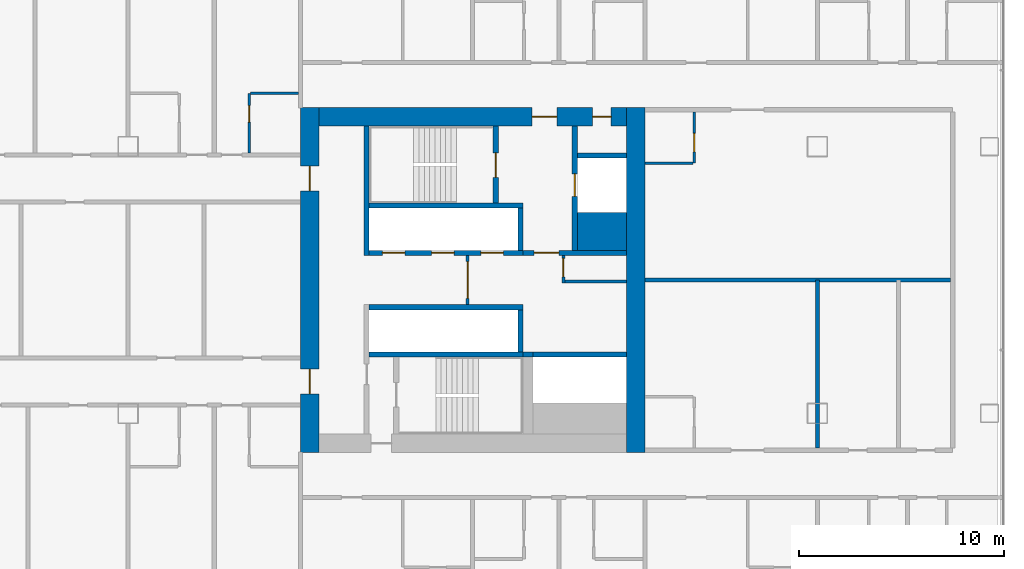
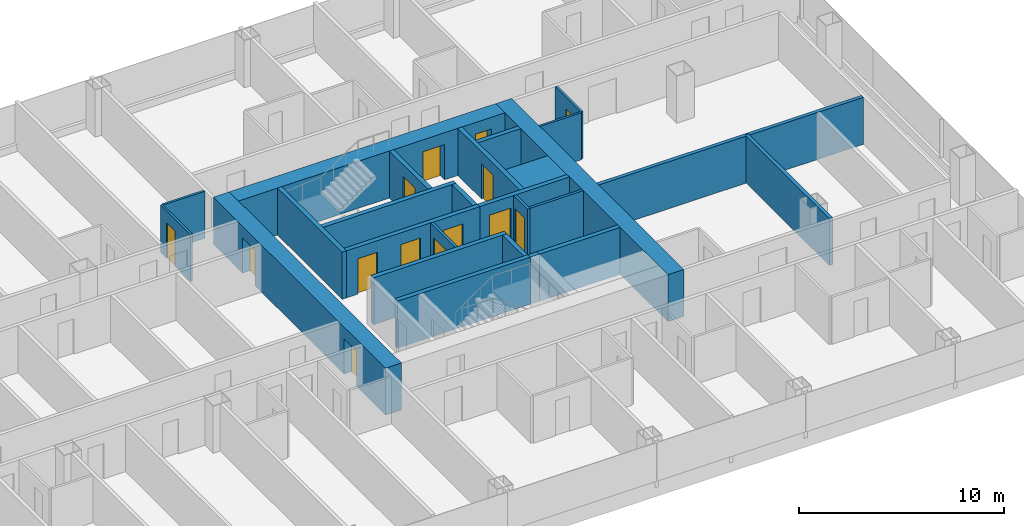
# One storey, part 18 of 28: 26 walls, 14 doors, 14 openings.
"""IFC4 building model written with IfcOpenShell, lengths in metres."""

from ifc_helpers import new_model, si_unit, direction, frame, frame_2d, origin, place, context, subcontext, project, spatial, rectangle, extrude, material, layer, layer_set, type_object, element, fill, save


model = new_model("IFC4")

# Units and contexts
model_context = context("Model", 3, precision=1e-05, world=origin(), true_north=direction((0.0, 1.0)))
body_context = subcontext(model_context, "Body", "Model", "MODEL_VIEW")
ifc_project = project(units=[si_unit("LENGTHUNIT", "METRE"), si_unit("AREAUNIT", "SQUARE_METRE"), si_unit("VOLUMEUNIT", "CUBIC_METRE"), si_unit("PLANEANGLEUNIT", "RADIAN"), si_unit("MASSUNIT", "GRAM", prefix="KILO")], contexts=[model_context])

# Site, building, storey
site_placement = place(None, origin())
site = spatial("IfcSite", under=ifc_project, at=site_placement, CompositionType="ELEMENT")
building_placement = place(site_placement, origin())
building = spatial("IfcBuilding", under=site, at=building_placement, Name="Hakoniwa Tower and Hamabe Station Hall", CompositionType="ELEMENT")
storey_placement = place(building_placement, frame((0.0, 0.0, 42.199951171875)))
storey = spatial("IfcBuildingStorey", under=building, at=storey_placement, Name="L11", CompositionType="ELEMENT", Elevation=42.199951171875)

# Wall
ifc_material_1 = material(Name="Gypsum board partition", Category="gypsum")
ifc_layer_1 = layer(ifc_material_1, 0.125)
ifc_layer_set_1 = layer_set([ifc_layer_1], Name="Bathroom Partition 125")
wall_type_1 = type_object("IfcWallType", Name="Bathroom Partition 125", PredefinedType="PARTITIONING", material=ifc_layer_set_1)
wall_1_placement = place(storey_placement, frame((14.362548828125, 9.10009765625, 0.0), z_axis=(0.0, 0.0, 1.0), x_axis=(1.0, 0.0, 0.0)))
element("IfcWall", 1, at=wall_1_placement, inside=storey, type_object=wall_type_1, Name="GW-L11-032", PredefinedType="PARTITIONING", context=body_context, shape_type="SweptSolid", body=[
    extrude(rectangle(XDim=2.33740234375, YDim=0.125, at=frame_2d((1.168701171875, 0.0))), origin(), (0.0, 0.0, 1.0), 2.800048828125),
])

# Wall, opening, door
wall_2_placement = place(storey_placement, frame((14.300048828125, 6.199951171875, 0.0), z_axis=(0.0, 0.0, 1.0), x_axis=(0.0, 1.0, 0.0)))
wall_2 = element("IfcWall", 2, at=wall_2_placement, inside=storey, type_object=wall_type_1, Name="GW-L11-102", PredefinedType="PARTITIONING", context=body_context, shape_type="SweptSolid", body=[
    extrude(rectangle(XDim=2.900146484375, YDim=0.125, at=frame_2d((1.4501953125, 0.0))), origin(), (0.0, 0.0, 1.0), 2.800048828125),
])
opening_1_placement = place(wall_2_placement, frame((1.5, 0.0, 0.0)))
opening_1 = element("IfcOpeningElement", 3, at=opening_1_placement, cuts=wall_2, Name="Opening GD-G1C1-81", PredefinedType="OPENING", context=body_context, shape_type="SweptSolid", body=[
    extrude(rectangle(XDim=0.800048828125, YDim=2.10009765625, at=frame_2d((0.39990234375, 1.050048828125))), frame((0.0, 0.072509765625, 0.0), z_axis=(0.0, -1.0, 0.0), x_axis=(1.0, 0.0, 0.0)), (0.0, 0.0, 1.0), 0.14501953125),
])
ifc_material_2 = material(Name="Timber door leaf", Category="wood")
door_type_1 = type_object("IfcDoorType", Name="Bathroom Door 800", OperationType="SINGLE_SWING_LEFT", PredefinedType="DOOR", material=ifc_material_2)
door_1_placement = place(opening_1_placement, origin())
door_1 = element("IfcDoor", 4, at=door_1_placement, inside=storey, type_object=door_type_1, Name="Door GD-G1C1-81", OperationType="SINGLE_SWING_RIGHT", OverallHeight=2.10009765625, OverallWidth=0.800048828125, PredefinedType="DOOR", context=body_context, shape_type="SweptSolid", body=[
    extrude(rectangle(XDim=0.800048828125, YDim=2.10009765625, at=frame_2d((0.39990234375, 1.050048828125))), frame((0.0, 0.02490234375, 0.0), z_axis=(0.0, -1.0, 0.0), x_axis=(1.0, 0.0, 0.0)), (0.0, 0.0, 1.0), 0.050048828125),
])
fill(opening_1, door_1)

ifc_material_3 = material(Name="Gypsum board partition")
ifc_layer_2 = layer(ifc_material_3, 0.14990234375)
ifc_layer_set_2 = layer_set([ifc_layer_2], Name="CORE PARTITION 150 EI 60")
wall_type_2 = type_object("IfcWallType", Name="CORE PARTITION 150 EI 60", PredefinedType="PARTITIONING", material=ifc_layer_set_2)
wall_3_placement = place(storey_placement, frame((24.949951171875, -1.199951171875, 0.0), z_axis=(0.0, 0.0, 1.0), x_axis=(0.0, 1.0, 0.0)))
wall_3 = element("IfcWall", 5, at=wall_3_placement, inside=storey, type_object=wall_type_2, Name="Core partition PL0 east", PredefinedType="PARTITIONING", context=body_context, shape_type="SweptSolid", body=[
    extrude(rectangle(XDim=2.39990234375, YDim=0.14990234375, at=frame_2d((1.199951171875, 0.0))), origin(), (0.0, 0.0, 1.0), 2.800048828125),
])
opening_2_placement = place(wall_3_placement, frame((0.300048828125, 0.0, 0.0)))
opening_2 = element("IfcOpeningElement", 6, at=opening_2_placement, cuts=wall_3, Name="Opening CD-E-LP0-18", PredefinedType="OPENING", context=body_context, shape_type="SweptSolid", body=[
    extrude(rectangle(XDim=1.800048828125, YDim=2.10009765625, at=frame_2d((0.89990234375, 1.050048828125))), frame((0.0, 0.0849609375, 0.0), z_axis=(0.0, -1.0, 0.0), x_axis=(1.0, 0.0, 0.0)), (0.0, 0.0, 1.0), 0.169921875),
])
ifc_material_4 = material(Name="Steel fire door", Category="steel")
door_type_2 = type_object("IfcDoorType", Name="CORE DOOR 1800 FD60", OperationType="DOUBLE_DOOR_SINGLE_SWING", PredefinedType="DOOR", material=ifc_material_4)
door_2_placement = place(opening_2_placement, origin())
door_2 = element("IfcDoor", 7, at=door_2_placement, inside=storey, type_object=door_type_2, Name="Lift lobby partition door", OperationType="DOUBLE_DOOR_SINGLE_SWING", OverallHeight=2.10009765625, OverallWidth=1.800048828125, PredefinedType="DOOR", context=body_context, shape_type="SweptSolid", body=[
    extrude(rectangle(XDim=1.800048828125, YDim=2.10009765625, at=frame_2d((0.89990234375, 1.050048828125))), frame((0.0, 0.02490234375, 0.0), z_axis=(0.0, -1.0, 0.0), x_axis=(1.0, 0.0, 0.0)), (0.0, 0.0, 1.0), 0.050048828125),
])
fill(opening_2, door_2)

wall_4_placement = place(storey_placement, frame((29.625, -0.14990234375, 0.0), z_axis=(0.0, 0.0, 1.0), x_axis=(0.0, 1.0, 0.0)))
wall_4 = element("IfcWall", 8, at=wall_4_placement, inside=storey, type_object=wall_type_2, Name="Core partition PW0 east", PredefinedType="PARTITIONING", context=body_context, shape_type="SweptSolid", body=[
    extrude(rectangle(XDim=1.349853515625, YDim=0.14990234375, at=frame_2d((0.6748046875, 0.0))), origin(), (0.0, 0.0, 1.0), 2.800048828125),
])
opening_3_placement = place(wall_4_placement, frame((0.300048828125, 0.0, 0.0)))
opening_3 = element("IfcOpeningElement", 9, at=opening_3_placement, cuts=wall_4, Name="Opening CD-E-RM1-9", PredefinedType="OPENING", context=body_context, shape_type="SweptSolid", body=[
    extrude(rectangle(XDim=0.89990234375, YDim=2.10009765625, at=frame_2d((0.449951171875, 1.050048828125))), frame((0.0, 0.0849609375, 0.0), z_axis=(0.0, -1.0, 0.0), x_axis=(1.0, 0.0, 0.0)), (0.0, 0.0, 1.0), 0.169921875),
])
ifc_material_5 = material(Name="Steel fire door", Category="steel")
door_type_3 = type_object("IfcDoorType", Name="CORE DOOR 900 FD30", OperationType="NOTDEFINED", PredefinedType="DOOR", material=ifc_material_5)
door_3_placement = place(opening_3_placement, origin())
door_3 = element("IfcDoor", 10, at=door_3_placement, inside=storey, type_object=door_type_3, Name="Store room door", OperationType="SINGLE_SWING_RIGHT", OverallHeight=2.10009765625, OverallWidth=0.89990234375, PredefinedType="DOOR", context=body_context, shape_type="SweptSolid", body=[
    extrude(rectangle(XDim=0.89990234375, YDim=2.10009765625, at=frame_2d((0.449951171875, 1.050048828125))), frame((0.0, 0.02490234375, 0.0), z_axis=(0.0, -1.0, 0.0), x_axis=(1.0, 0.0, 0.0)), (0.0, 0.0, 1.0), 0.050048828125),
])
fill(opening_3, door_3)

# Wall
wall_5_placement = place(storey_placement, frame((29.699951171875, -0.074951171875, 0.0), z_axis=(0.0, 0.0, 1.0), x_axis=(1.0, 0.0, 0.0)))
element("IfcWall", 11, at=wall_5_placement, inside=storey, type_object=wall_type_2, Name="Core partition PS east", PredefinedType="PARTITIONING", context=body_context, shape_type="SweptSolid", body=[
    extrude(rectangle(XDim=3.0, YDim=0.14990234375, at=frame_2d((1.5, 0.0))), origin(), (0.0, 0.0, 1.0), 2.800048828125),
])

# Wall, openings, doors
ifc_material_6 = material(Name="Concrete C80", Category="concrete")
ifc_layer_3 = layer(ifc_material_6, 0.89990234375)
ifc_layer_set_3 = layer_set([ifc_layer_3], Name="CORE WALL 900 C80")
wall_type_3 = type_object("IfcWallType", Name="CORE WALL 900 C80", PredefinedType="SHEAR", material=ifc_layer_set_3)
wall_6_placement = place(storey_placement, frame((17.25, -8.39990234375, 0.0), z_axis=(0.0, 0.0, 1.0), x_axis=(0.0, 1.0, 0.0)))
wall_6 = element("IfcWall", 12, at=wall_6_placement, inside=storey, type_object=wall_type_3, Name="Core wall INNER east", PredefinedType="SHEAR", context=body_context, shape_type="SweptSolid", body=[
    extrude(rectangle(XDim=16.7998046875, YDim=0.89990234375, at=frame_2d((8.39990234375, 0.0))), origin(), (0.0, 0.0, 1.0), 2.800048828125),
])
opening_4_placement = place(wall_6_placement, frame((12.75, 0.0, 0.0)))
opening_4 = element("IfcOpeningElement", 13, at=opening_4_placement, cuts=wall_6, Name="Opening CD-E-IN1-12", PredefinedType="OPENING", context=body_context, shape_type="SweptSolid", body=[
    extrude(rectangle(XDim=1.199951171875, YDim=2.10009765625, at=frame_2d((0.60009765625, 1.050048828125))), frame((0.0, 0.4599609375, 0.0), z_axis=(0.0, -1.0, 0.0), x_axis=(1.0, 0.0, 0.0)), (0.0, 0.0, 1.0), 0.919921875),
])
opening_5_placement = place(wall_6_placement, frame((2.85009765625, 0.0, 0.0)))
opening_5 = element("IfcOpeningElement", 14, at=opening_5_placement, cuts=wall_6, Name="Opening CD-E-IN2-12", PredefinedType="OPENING", context=body_context, shape_type="SweptSolid", body=[
    extrude(rectangle(XDim=1.199951171875, YDim=2.10009765625, at=frame_2d((0.60009765625, 1.050048828125))), frame((0.0, 0.4599609375, 0.0), z_axis=(0.0, -1.0, 0.0), x_axis=(1.0, 0.0, 0.0)), (0.0, 0.0, 1.0), 0.919921875),
])
ifc_material_7 = material(Name="Steel fire door", Category="steel")
door_type_4 = type_object("IfcDoorType", Name="CORE DOOR 1200 FD60", OperationType="DOUBLE_DOOR_SINGLE_SWING", PredefinedType="DOOR", material=ifc_material_7)
door_4_placement = place(opening_4_placement, origin())
door_4 = element("IfcDoor", 15, at=door_4_placement, inside=storey, type_object=door_type_4, Name="Lift lobby door", OperationType="DOUBLE_DOOR_SINGLE_SWING", OverallHeight=2.10009765625, OverallWidth=1.199951171875, PredefinedType="DOOR", context=body_context, shape_type="SweptSolid", body=[
    extrude(rectangle(XDim=1.199951171875, YDim=2.10009765625, at=frame_2d((0.60009765625, 1.050048828125))), frame((0.0, 0.02490234375, 0.0), z_axis=(0.0, -1.0, 0.0), x_axis=(1.0, 0.0, 0.0)), (0.0, 0.0, 1.0), 0.050048828125),
])
fill(opening_4, door_4)
door_5_placement = place(opening_5_placement, origin())
door_5 = element("IfcDoor", 16, at=door_5_placement, inside=storey, type_object=door_type_4, Name="Lift lobby door", OperationType="DOUBLE_DOOR_SINGLE_SWING", OverallHeight=2.10009765625, OverallWidth=1.199951171875, PredefinedType="DOOR", context=body_context, shape_type="SweptSolid", body=[
    extrude(rectangle(XDim=1.199951171875, YDim=2.10009765625, at=frame_2d((0.60009765625, 1.050048828125))), frame((0.0, 0.02490234375, 0.0), z_axis=(0.0, -1.0, 0.0), x_axis=(1.0, 0.0, 0.0)), (0.0, 0.0, 1.0), 0.050048828125),
])
fill(opening_5, door_5)

# Wall
wall_7_placement = place(storey_placement, frame((33.14990234375, -8.39990234375, 0.0), z_axis=(0.0, 0.0, 1.0), x_axis=(0.0, 1.0, 0.0)))
element("IfcWall", 17, at=wall_7_placement, inside=storey, type_object=wall_type_3, Name="Core wall OUTER east", PredefinedType="SHEAR", context=body_context, shape_type="SweptSolid", body=[
    extrude(rectangle(XDim=16.7998046875, YDim=0.89990234375, at=frame_2d((8.39990234375, 0.0))), origin(), (0.0, 0.0, 1.0), 2.800048828125),
])

# Wall, openings, doors
wall_8_placement = place(storey_placement, frame((17.699951171875, 7.949951171875, 0.0), z_axis=(0.0, 0.0, 1.0), x_axis=(1.0, 0.0, 0.0)))
wall_8 = element("IfcWall", 18, at=wall_8_placement, inside=storey, type_object=wall_type_3, Name="Core wall NORTH east", PredefinedType="SHEAR", context=body_context, shape_type="SweptSolid", body=[
    extrude(rectangle(XDim=15.0, YDim=0.89990234375, at=frame_2d((7.5, 0.0))), origin(), (0.0, 0.0, 1.0), 2.800048828125),
])
opening_6_placement = place(wall_8_placement, frame((10.39990234375, 0.0, 0.0)))
opening_6 = element("IfcOpeningElement", 19, at=opening_6_placement, cuts=wall_8, Name="Opening CD-E-FN1-12", PredefinedType="OPENING", context=body_context, shape_type="SweptSolid", body=[
    extrude(rectangle(XDim=1.199951171875, YDim=2.10009765625, at=frame_2d((0.60009765625, 1.050048828125))), frame((0.0, 0.4599609375, 0.0), z_axis=(0.0, -1.0, 0.0), x_axis=(1.0, 0.0, 0.0)), (0.0, 0.0, 1.0), 0.919921875),
])
opening_7_placement = place(wall_8_placement, frame((13.35009765625, 0.0, 0.0)))
opening_7 = element("IfcOpeningElement", 20, at=opening_7_placement, cuts=wall_8, Name="Opening CD-E-FN2-9", PredefinedType="OPENING", context=body_context, shape_type="SweptSolid", body=[
    extrude(rectangle(XDim=0.89990234375, YDim=2.10009765625, at=frame_2d((0.449951171875, 1.050048828125))), frame((0.0, 0.4599609375, 0.0), z_axis=(0.0, -1.0, 0.0), x_axis=(1.0, 0.0, 0.0)), (0.0, 0.0, 1.0), 0.919921875),
])
door_6_placement = place(opening_6_placement, origin())
door_6 = element("IfcDoor", 21, at=door_6_placement, inside=storey, type_object=door_type_4, Name="Stair vestibule door to the fire-fighting lobby", OperationType="DOUBLE_DOOR_SINGLE_SWING", OverallHeight=2.10009765625, OverallWidth=1.199951171875, PredefinedType="DOOR", context=body_context, shape_type="SweptSolid", body=[
    extrude(rectangle(XDim=1.199951171875, YDim=2.10009765625, at=frame_2d((0.60009765625, 1.050048828125))), frame((0.0, 0.02490234375, 0.0), z_axis=(0.0, -1.0, 0.0), x_axis=(1.0, 0.0, 0.0)), (0.0, 0.0, 1.0), 0.050048828125),
])
fill(opening_6, door_6)
door_7_placement = place(opening_7_placement, origin())
door_7 = element("IfcDoor", 22, at=door_7_placement, inside=storey, type_object=door_type_3, Name="Riser access door", OperationType="SINGLE_SWING_RIGHT", OverallHeight=2.10009765625, OverallWidth=0.89990234375, PredefinedType="DOOR", context=body_context, shape_type="SweptSolid", body=[
    extrude(rectangle(XDim=0.89990234375, YDim=2.10009765625, at=frame_2d((0.449951171875, 1.050048828125))), frame((0.0, 0.02490234375, 0.0), z_axis=(0.0, -1.0, 0.0), x_axis=(1.0, 0.0, 0.0)), (0.0, 0.0, 1.0), 0.050048828125),
])
fill(opening_7, door_7)

# Walls
ifc_material_8 = material(Name="Concrete C80", Category="concrete")
ifc_layer_4 = layer(ifc_material_8, 1.85009765625)
ifc_layer_set_4 = layer_set([ifc_layer_4], Name="CORE WEB WALL 1850 C80")
wall_type_4 = type_object("IfcWallType", Name="CORE WEB WALL 1850 C80", PredefinedType="SHEAR", material=ifc_layer_set_4)
wall_9_placement = place(storey_placement, frame((30.300048828125, 2.375, 0.0), z_axis=(0.0, 0.0, 1.0), x_axis=(1.0, 0.0, 0.0)))
element("IfcWall", 23, at=wall_9_placement, inside=storey, type_object=wall_type_4, Name="Core wall CA east", PredefinedType="SHEAR", context=body_context, shape_type="SweptSolid", body=[
    extrude(rectangle(XDim=2.39990234375, YDim=1.85009765625, at=frame_2d((1.199951171875, 0.0))), origin(), (0.0, 0.0, 1.0), 2.800048828125),
])
ifc_material_9 = material(Name="Concrete C80", Category="concrete")
ifc_layer_5 = layer(ifc_material_9, 0.25)
ifc_layer_set_5 = layer_set([ifc_layer_5], Name="CORE WEB WALL 250 C80")
wall_type_5 = type_object("IfcWallType", Name="CORE WEB WALL 250 C80", PredefinedType="SHEAR", material=ifc_layer_set_5)
wall_10_placement = place(storey_placement, frame((20.02490234375, 1.199951171875, 0.0), z_axis=(0.0, 0.0, 1.0), x_axis=(0.0, 1.0, 0.0)))
element("IfcWall", 24, at=wall_10_placement, inside=storey, type_object=wall_type_5, Name="Core wall W1N east", PredefinedType="SHEAR", context=body_context, shape_type="SweptSolid", body=[
    extrude(rectangle(XDim=6.300048828125, YDim=0.25, at=frame_2d((3.14990234375, 0.0))), origin(), (0.0, 0.0, 1.0), 2.800048828125),
])

# Wall, openings, doors
wall_11_placement = place(storey_placement, frame((20.14990234375, 1.324951171875, 0.0), z_axis=(0.0, 0.0, 1.0), x_axis=(1.0, 0.0, 0.0)))
wall_11 = element("IfcWall", 25, at=wall_11_placement, inside=storey, type_object=wall_type_5, Name="Core wall NF east", PredefinedType="SHEAR", context=body_context, shape_type="SweptSolid", body=[
    extrude(rectangle(XDim=7.5, YDim=0.25, at=frame_2d((3.75, 0.0))), origin(), (0.0, 0.0, 1.0), 2.800048828125),
])
opening_8_placement = place(wall_11_placement, frame((0.64990234375, 0.0, 0.0)))
opening_8 = element("IfcOpeningElement", 26, at=opening_8_placement, cuts=wall_11, Name="Opening LD-LR4", PredefinedType="OPENING", context=body_context, shape_type="SweptSolid", body=[
    extrude(rectangle(XDim=1.10009765625, YDim=2.10009765625, at=frame_2d((0.550048828125, 1.050048828125))), frame((0.0, 0.135009765625, 0.0), z_axis=(0.0, -1.0, 0.0), x_axis=(1.0, 0.0, 0.0)), (0.0, 0.0, 1.0), 0.27001953125),
])
opening_9_placement = place(wall_11_placement, frame((3.050048828125, 0.0, 0.0)))
opening_9 = element("IfcOpeningElement", 27, at=opening_9_placement, cuts=wall_11, Name="Opening LD-LR5", PredefinedType="OPENING", context=body_context, shape_type="SweptSolid", body=[
    extrude(rectangle(XDim=1.10009765625, YDim=2.10009765625, at=frame_2d((0.550048828125, 1.050048828125))), frame((0.0, 0.135009765625, 0.0), z_axis=(0.0, -1.0, 0.0), x_axis=(1.0, 0.0, 0.0)), (0.0, 0.0, 1.0), 0.27001953125),
])
opening_10_placement = place(wall_11_placement, frame((5.449951171875, 0.0, 0.0)))
opening_10 = element("IfcOpeningElement", 28, at=opening_10_placement, cuts=wall_11, Name="Opening LD-LR6", PredefinedType="OPENING", context=body_context, shape_type="SweptSolid", body=[
    extrude(rectangle(XDim=1.10009765625, YDim=2.10009765625, at=frame_2d((0.550048828125, 1.050048828125))), frame((0.0, 0.135009765625, 0.0), z_axis=(0.0, -1.0, 0.0), x_axis=(1.0, 0.0, 0.0)), (0.0, 0.0, 1.0), 0.27001953125),
])
ifc_material_10 = material(Name="Stainless steel SUS304", Category="steel")
door_type_5 = type_object("IfcDoorType", Name="LIFT LANDING DOOR 1100 FD60", OperationType="DOUBLE_DOOR_SLIDING", PredefinedType="DOOR", material=ifc_material_10)
door_8_placement = place(opening_8_placement, origin())
door_8 = element("IfcDoor", 29, at=door_8_placement, inside=storey, type_object=door_type_5, Name="Lift landing door LR4 L11", OperationType="DOUBLE_DOOR_SLIDING", OverallHeight=2.10009765625, OverallWidth=1.10009765625, PredefinedType="DOOR", context=body_context, shape_type="SweptSolid", body=[
    extrude(rectangle(XDim=1.10009765625, YDim=2.10009765625, at=frame_2d((0.550048828125, 1.050048828125))), frame((0.0, 0.02490234375, 0.0), z_axis=(0.0, -1.0, 0.0), x_axis=(1.0, 0.0, 0.0)), (0.0, 0.0, 1.0), 0.050048828125),
])
fill(opening_8, door_8)
door_9_placement = place(opening_9_placement, origin())
door_9 = element("IfcDoor", 30, at=door_9_placement, inside=storey, type_object=door_type_5, Name="Lift landing door LR5 L11", OperationType="DOUBLE_DOOR_SLIDING", OverallHeight=2.10009765625, OverallWidth=1.10009765625, PredefinedType="DOOR", context=body_context, shape_type="SweptSolid", body=[
    extrude(rectangle(XDim=1.10009765625, YDim=2.10009765625, at=frame_2d((0.550048828125, 1.050048828125))), frame((0.0, 0.02490234375, 0.0), z_axis=(0.0, -1.0, 0.0), x_axis=(1.0, 0.0, 0.0)), (0.0, 0.0, 1.0), 0.050048828125),
])
fill(opening_9, door_9)
door_10_placement = place(opening_10_placement, origin())
door_10 = element("IfcDoor", 31, at=door_10_placement, inside=storey, type_object=door_type_5, Name="Lift landing door LR6 L11", OperationType="DOUBLE_DOOR_SLIDING", OverallHeight=2.10009765625, OverallWidth=1.10009765625, PredefinedType="DOOR", context=body_context, shape_type="SweptSolid", body=[
    extrude(rectangle(XDim=1.10009765625, YDim=2.10009765625, at=frame_2d((0.550048828125, 1.050048828125))), frame((0.0, 0.02490234375, 0.0), z_axis=(0.0, -1.0, 0.0), x_axis=(1.0, 0.0, 0.0)), (0.0, 0.0, 1.0), 0.050048828125),
])
fill(opening_10, door_10)

# Walls
wall_12_placement = place(storey_placement, frame((27.52490234375, 1.449951171875, 0.0), z_axis=(0.0, 0.0, 1.0), x_axis=(0.0, 1.0, 0.0)))
element("IfcWall", 32, at=wall_12_placement, inside=storey, type_object=wall_type_5, Name="Core wall NE east", PredefinedType="SHEAR", context=body_context, shape_type="SweptSolid", body=[
    extrude(rectangle(XDim=2.050048828125, YDim=0.25, at=frame_2d((1.02490234375, 0.0))), origin(), (0.0, 0.0, 1.0), 2.800048828125),
])
wall_13_placement = place(storey_placement, frame((20.14990234375, 3.625, 0.0), z_axis=(0.0, 0.0, 1.0), x_axis=(1.0, 0.0, 0.0)))
element("IfcWall", 33, at=wall_13_placement, inside=storey, type_object=wall_type_5, Name="Core wall NR east", PredefinedType="SHEAR", context=body_context, shape_type="SweptSolid", body=[
    extrude(rectangle(XDim=7.5, YDim=0.25, at=frame_2d((3.75, 0.0))), origin(), (0.0, 0.0, 1.0), 2.800048828125),
])

# Wall, opening, door
wall_14_placement = place(storey_placement, frame((26.324951171875, 3.75, 0.0), z_axis=(0.0, 0.0, 1.0), x_axis=(0.0, 1.0, 0.0)))
wall_14 = element("IfcWall", 34, at=wall_14_placement, inside=storey, type_object=wall_type_5, Name="Core wall NSE east", PredefinedType="SHEAR", context=body_context, shape_type="SweptSolid", body=[
    extrude(rectangle(XDim=3.75, YDim=0.25, at=frame_2d((1.875, 0.0))), origin(), (0.0, 0.0, 1.0), 2.800048828125),
])
opening_11_placement = place(wall_14_placement, frame((1.25, 0.0, 0.0)))
opening_11 = element("IfcOpeningElement", 35, at=opening_11_placement, cuts=wall_14, Name="Opening CD-E-SN-12", PredefinedType="OPENING", context=body_context, shape_type="SweptSolid", body=[
    extrude(rectangle(XDim=1.199951171875, YDim=2.10009765625, at=frame_2d((0.60009765625, 1.050048828125))), frame((0.0, 0.135009765625, 0.0), z_axis=(0.0, -1.0, 0.0), x_axis=(1.0, 0.0, 0.0)), (0.0, 0.0, 1.0), 0.27001953125),
])
door_11_placement = place(opening_11_placement, origin())
door_11 = element("IfcDoor", 36, at=door_11_placement, inside=storey, type_object=door_type_4, Name="Escape stair door", OperationType="DOUBLE_DOOR_SINGLE_SWING", OverallHeight=2.10009765625, OverallWidth=1.199951171875, PredefinedType="DOOR", context=body_context, shape_type="SweptSolid", body=[
    extrude(rectangle(XDim=1.199951171875, YDim=2.10009765625, at=frame_2d((0.60009765625, 1.050048828125))), frame((0.0, 0.02490234375, 0.0), z_axis=(0.0, -1.0, 0.0), x_axis=(1.0, 0.0, 0.0)), (0.0, 0.0, 1.0), 0.050048828125),
])
fill(opening_11, door_11)

wall_15_placement = place(storey_placement, frame((27.64990234375, 1.324951171875, 0.0), z_axis=(0.0, 0.0, 1.0), x_axis=(1.0, 0.0, 0.0)))
wall_15 = element("IfcWall", 37, at=wall_15_placement, inside=storey, type_object=wall_type_5, Name="Core wall ELN east", PredefinedType="SHEAR", context=body_context, shape_type="SweptSolid", body=[
    extrude(rectangle(XDim=5.050048828125, YDim=0.25, at=frame_2d((2.52490234375, 0.0))), origin(), (0.0, 0.0, 1.0), 2.800048828125),
])
opening_12_placement = place(wall_15_placement, frame((0.550048828125, 0.0, 0.0)))
opening_12 = element("IfcOpeningElement", 38, at=opening_12_placement, cuts=wall_15, Name="Opening CD-E-FL-12", PredefinedType="OPENING", context=body_context, shape_type="SweptSolid", body=[
    extrude(rectangle(XDim=1.199951171875, YDim=2.10009765625, at=frame_2d((0.60009765625, 1.050048828125))), frame((0.0, 0.135009765625, 0.0), z_axis=(0.0, -1.0, 0.0), x_axis=(1.0, 0.0, 0.0)), (0.0, 0.0, 1.0), 0.27001953125),
])
door_12_placement = place(opening_12_placement, origin())
door_12 = element("IfcDoor", 39, at=door_12_placement, inside=storey, type_object=door_type_4, Name="Stair vestibule door to the fire-fighting lobby", OperationType="DOUBLE_DOOR_SINGLE_SWING", OverallHeight=2.10009765625, OverallWidth=1.199951171875, PredefinedType="DOOR", context=body_context, shape_type="SweptSolid", body=[
    extrude(rectangle(XDim=1.199951171875, YDim=2.10009765625, at=frame_2d((0.60009765625, 1.050048828125))), frame((0.0, 0.02490234375, 0.0), z_axis=(0.0, -1.0, 0.0), x_axis=(1.0, 0.0, 0.0)), (0.0, 0.0, 1.0), 0.050048828125),
])
fill(opening_12, door_12)

wall_16_placement = place(storey_placement, frame((30.175048828125, 1.449951171875, 0.0), z_axis=(0.0, 0.0, 1.0), x_axis=(0.0, 1.0, 0.0)))
wall_16 = element("IfcWall", 40, at=wall_16_placement, inside=storey, type_object=wall_type_5, Name="Core wall FFF east", PredefinedType="SHEAR", context=body_context, shape_type="SweptSolid", body=[
    extrude(rectangle(XDim=6.050048828125, YDim=0.25, at=frame_2d((3.02490234375, 0.0))), origin(), (0.0, 0.0, 1.0), 2.800048828125),
])
opening_13_placement = place(wall_16_placement, frame((2.625, 0.0, 0.0)))
opening_13 = element("IfcOpeningElement", 41, at=opening_13_placement, cuts=wall_16, Name="Opening LD-FF2", PredefinedType="OPENING", context=body_context, shape_type="SweptSolid", body=[
    extrude(rectangle(XDim=1.10009765625, YDim=2.10009765625, at=frame_2d((0.550048828125, 1.050048828125))), frame((0.0, 0.135009765625, 0.0), z_axis=(0.0, -1.0, 0.0), x_axis=(1.0, 0.0, 0.0)), (0.0, 0.0, 1.0), 0.27001953125),
])
door_13_placement = place(opening_13_placement, origin())
door_13 = element("IfcDoor", 42, at=door_13_placement, inside=storey, type_object=door_type_5, Name="Lift landing door FF2 L11", OperationType="DOUBLE_DOOR_SLIDING", OverallHeight=2.10009765625, OverallWidth=1.10009765625, PredefinedType="DOOR", context=body_context, shape_type="SweptSolid", body=[
    extrude(rectangle(XDim=1.10009765625, YDim=2.10009765625, at=frame_2d((0.550048828125, 1.050048828125))), frame((0.0, 0.02490234375, 0.0), z_axis=(0.0, -1.0, 0.0), x_axis=(1.0, 0.0, 0.0)), (0.0, 0.0, 1.0), 0.050048828125),
])
fill(opening_13, door_13)

# Walls
wall_17_placement = place(storey_placement, frame((30.300048828125, 6.074951171875, 0.0), z_axis=(0.0, 0.0, 1.0), x_axis=(1.0, 0.0, 0.0)))
element("IfcWall", 43, at=wall_17_placement, inside=storey, type_object=wall_type_5, Name="Core wall C2 east", PredefinedType="SHEAR", context=body_context, shape_type="SweptSolid", body=[
    extrude(rectangle(XDim=2.39990234375, YDim=0.25, at=frame_2d((1.199951171875, 0.0))), origin(), (0.0, 0.0, 1.0), 2.800048828125),
])
wall_18_placement = place(storey_placement, frame((20.14990234375, -1.324951171875, 0.0), z_axis=(0.0, 0.0, 1.0), x_axis=(1.0, 0.0, 0.0)))
element("IfcWall", 44, at=wall_18_placement, inside=storey, type_object=wall_type_5, Name="Core wall SF east", PredefinedType="SHEAR", context=body_context, shape_type="SweptSolid", body=[
    extrude(rectangle(XDim=7.5, YDim=0.25, at=frame_2d((3.75, 0.0))), origin(), (0.0, 0.0, 1.0), 2.800048828125),
])
wall_19_placement = place(storey_placement, frame((27.52490234375, -3.5, 0.0), z_axis=(0.0, 0.0, 1.0), x_axis=(0.0, 1.0, 0.0)))
element("IfcWall", 45, at=wall_19_placement, inside=storey, type_object=wall_type_5, Name="Core wall SE east", PredefinedType="SHEAR", context=body_context, shape_type="SweptSolid", body=[
    extrude(rectangle(XDim=2.050048828125, YDim=0.25, at=frame_2d((1.02490234375, 0.0))), origin(), (0.0, 0.0, 1.0), 2.800048828125),
])
wall_20_placement = place(storey_placement, frame((20.14990234375, -3.625, 0.0), z_axis=(0.0, 0.0, 1.0), x_axis=(1.0, 0.0, 0.0)))
element("IfcWall", 46, at=wall_20_placement, inside=storey, type_object=wall_type_5, Name="Core wall SR east", PredefinedType="SHEAR", context=body_context, shape_type="SweptSolid", body=[
    extrude(rectangle(XDim=7.5, YDim=0.25, at=frame_2d((3.75, 0.0))), origin(), (0.0, 0.0, 1.0), 2.800048828125),
])
wall_21_placement = place(storey_placement, frame((28.14990234375, -3.625, 0.0), z_axis=(0.0, 0.0, 1.0), x_axis=(1.0, 0.0, 0.0)))
element("IfcWall", 47, at=wall_21_placement, inside=storey, type_object=wall_type_5, Name="Core wall SEF east", PredefinedType="SHEAR", context=body_context, shape_type="SweptSolid", body=[
    extrude(rectangle(XDim=4.550048828125, YDim=0.25, at=frame_2d((2.27490234375, 0.0))), origin(), (0.0, 0.0, 1.0), 2.800048828125),
])
wall_22_placement = place(storey_placement, frame((27.64990234375, -3.625, 0.0), z_axis=(0.0, 0.0, 1.0), x_axis=(1.0, 0.0, 0.0)))
element("IfcWall", 48, at=wall_22_placement, inside=storey, type_object=wall_type_5, Name="Core wall SRK east", PredefinedType="SHEAR", context=body_context, shape_type="SweptSolid", body=[
    extrude(rectangle(XDim=0.5, YDim=0.25, at=frame_2d((0.25, 0.0))), origin(), (0.0, 0.0, 1.0), 2.800048828125),
])
ifc_material_11 = material(Name="Fire-rated gypsum board partition", Category="gypsum")
ifc_layer_6 = layer(ifc_material_11, 0.199951171875)
ifc_layer_set_6 = layer_set([ifc_layer_6], Name="Party Wall 200")
wall_type_6 = type_object("IfcWallType", Name="Party Wall 200", PredefinedType="PARTITIONING", material=ifc_layer_set_6)
wall_23_placement = place(storey_placement, frame((33.60009765625, 0.0, 0.0), z_axis=(0.0, 0.0, 1.0), x_axis=(1.0, 0.0, 0.0)))
element("IfcWall", 49, at=wall_23_placement, inside=storey, type_object=wall_type_6, Name="GW-L11-022", PredefinedType="PARTITIONING", context=body_context, shape_type="SweptSolid", body=[
    extrude(rectangle(XDim=14.89990234375, YDim=0.199951171875, at=frame_2d((7.449951171875, 0.0))), origin(), (0.0, 0.0, 1.0), 2.800048828125),
])
wall_24_placement = place(storey_placement, frame((42.0, -8.199951171875, 0.0), z_axis=(0.0, 0.0, 1.0), x_axis=(0.0, 1.0, 0.0)))
element("IfcWall", 50, at=wall_24_placement, inside=storey, type_object=wall_type_6, Name="GW-L11-122", PredefinedType="PARTITIONING", context=body_context, shape_type="SweptSolid", body=[
    extrude(rectangle(XDim=8.199951171875, YDim=0.199951171875, at=frame_2d((4.10009765625, 0.0))), origin(), (0.0, 0.0, 1.0), 2.800048828125),
])
ifc_material_12 = material(Name="Gypsum board partition", Category="gypsum")
ifc_layer_7 = layer(ifc_material_12, 0.125)
ifc_layer_set_7 = layer_set([ifc_layer_7], Name="Room Partition 125")
wall_type_7 = type_object("IfcWallType", Name="Room Partition 125", PredefinedType="PARTITIONING", material=ifc_layer_set_7)
wall_25_placement = place(storey_placement, frame((33.60009765625, 5.699951171875, 0.0), z_axis=(0.0, 0.0, 1.0), x_axis=(1.0, 0.0, 0.0)))
element("IfcWall", 51, at=wall_25_placement, inside=storey, type_object=wall_type_7, Name="GW-L11-025", PredefinedType="PARTITIONING", context=body_context, shape_type="SweptSolid", body=[
    extrude(rectangle(XDim=2.33740234375, YDim=0.125, at=frame_2d((1.168701171875, 0.0))), origin(), (0.0, 0.0, 1.0), 2.800048828125),
])

# Wall, opening, door
wall_26_placement = place(storey_placement, frame((36.0, 5.699951171875, 0.0), z_axis=(0.0, 0.0, 1.0), x_axis=(0.0, 1.0, 0.0)))
wall_26 = element("IfcWall", 52, at=wall_26_placement, inside=storey, type_object=wall_type_7, Name="GW-L11-118", PredefinedType="PARTITIONING", context=body_context, shape_type="SweptSolid", body=[
    extrude(rectangle(XDim=2.5, YDim=0.125, at=frame_2d((1.25, 0.0))), origin(), (0.0, 0.0, 1.0), 2.800048828125),
])
opening_14_placement = place(wall_26_placement, frame((0.550048828125, 0.0, 0.0)))
opening_14 = element("IfcOpeningElement", 53, at=opening_14_placement, cuts=wall_26, Name="Opening GD-G1C1-87", PredefinedType="OPENING", context=body_context, shape_type="SweptSolid", body=[
    extrude(rectangle(XDim=0.89990234375, YDim=2.10009765625, at=frame_2d((0.449951171875, 1.050048828125))), frame((0.0, 0.072509765625, 0.0), z_axis=(0.0, -1.0, 0.0), x_axis=(1.0, 0.0, 0.0)), (0.0, 0.0, 1.0), 0.14501953125),
])
ifc_material_13 = material(Name="Timber door leaf", Category="wood")
door_type_6 = type_object("IfcDoorType", Name="Suite Interior Door 900", OperationType="SINGLE_SWING_LEFT", PredefinedType="DOOR", material=ifc_material_13)
door_14_placement = place(opening_14_placement, origin())
door_14 = element("IfcDoor", 54, at=door_14_placement, inside=storey, type_object=door_type_6, Name="Door GD-G1C1-87", OperationType="SINGLE_SWING_RIGHT", OverallHeight=2.10009765625, OverallWidth=0.89990234375, PredefinedType="DOOR", context=body_context, shape_type="SweptSolid", body=[
    extrude(rectangle(XDim=0.89990234375, YDim=2.10009765625, at=frame_2d((0.449951171875, 1.050048828125))), frame((0.0, 0.02490234375, 0.0), z_axis=(0.0, -1.0, 0.0), x_axis=(1.0, 0.0, 0.0)), (0.0, 0.0, 1.0), 0.050048828125),
])
fill(opening_14, door_14)

save(model, "model.ifc")
